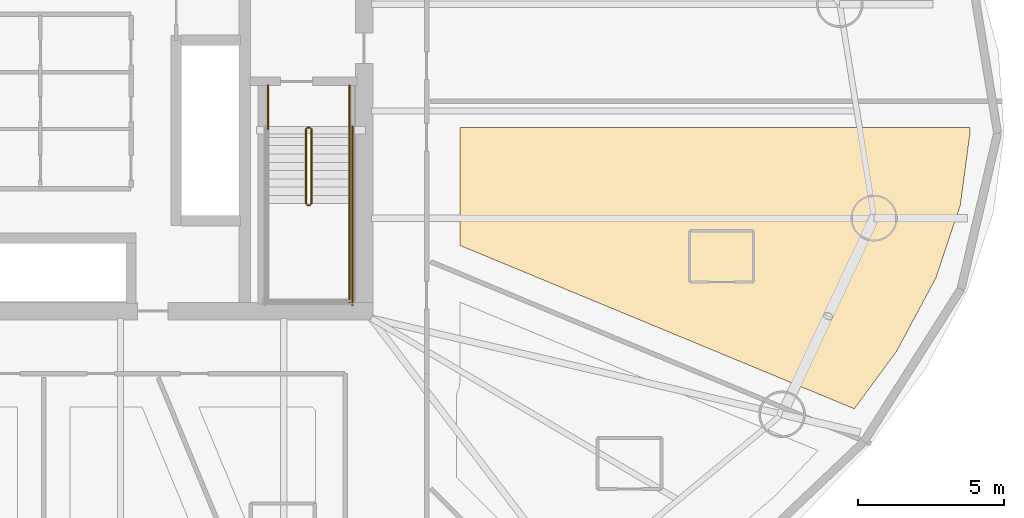
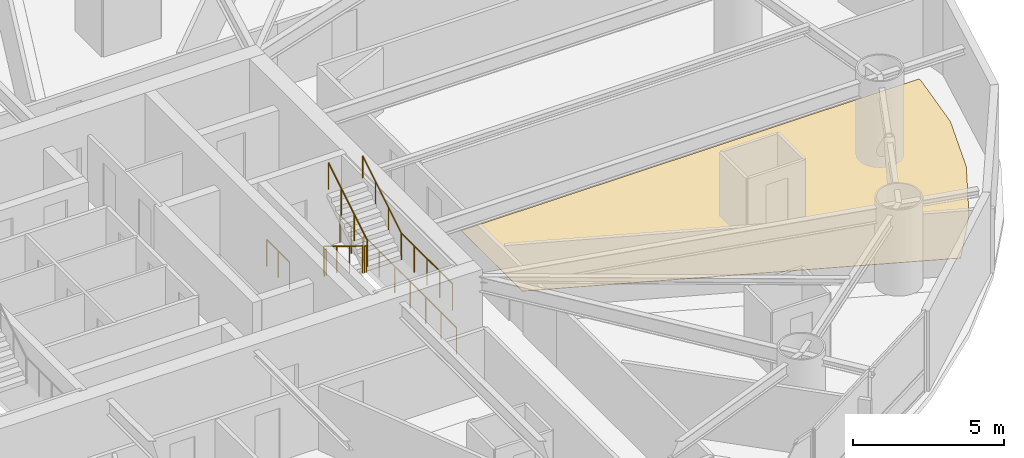
# One storey, part 26 of 27: 9 railings, 1 covering.
"""IFC4 building model written with IfcOpenShell, lengths in metres."""

import ifcopenshell
import ifcopenshell.guid

model = None  # the IFC model being written
_history = None  # IfcOwnerHistory: only IFC2X3 demands one
_inside = {}  # id of a spatial element -> (the spatial element, [elements in it])
_under = {}  # id of a project, library or spatial element -> (it, [spatial elements below it])
_declared = {}  # id of a project -> (the project, [libraries it declares])
_typed = {}  # id of a type object -> (the type object, [elements of that type])
_made_of = {}  # id of a material, layer set ... -> (it, [elements and type objects made of it])


def new_model(schema):
    """Start an empty IFC model of exactly this schema.

    Asked for "IFC4X3", IfcOpenShell would pick the latest addendum, in which some entities
    have other attributes; the version numbers below select the first issue.
    IFC2X3 requires an IfcOwnerHistory on every rooted entity: one is made here for all.
    """
    global model, _history
    if schema == "IFC4X3":
        model = ifcopenshell.file(schema_version=(4, 3, 0, 0))
    else:
        model = ifcopenshell.file(schema=schema)
    _inside.clear()
    _under.clear()
    _declared.clear()
    _typed.clear()
    _made_of.clear()
    _history = None
    if model.schema == "IFC2X3":
        org = make("IfcOrganization", Name="unknown")
        user = make(
            "IfcPersonAndOrganization",
            ThePerson=make("IfcPerson", FamilyName="unknown"),
            TheOrganization=org,
        )
        app = make(
            "IfcApplication",
            ApplicationDeveloper=org,
            Version="unknown",
            ApplicationFullName="unknown",
            ApplicationIdentifier="unknown",
        )
        _history = make(
            "IfcOwnerHistory",
            OwningUser=user,
            OwningApplication=app,
            ChangeAction="ADDED",
            CreationDate=0,
        )
    return model


def make(cls, **values):
    """One entity of the class cls with the attributes given. An attribute that is None is left unset."""
    return model.create_entity(
        cls, **{name: value for name, value in values.items() if value is not None}
    )


def rooted(cls, **values):
    """An entity with a GlobalId (a new one), such as an element, a storey or a relation."""
    return make(cls, GlobalId=ifcopenshell.guid.new(), OwnerHistory=_history, **values)


def si_unit(unit_type, name, prefix=None):
    """IfcSIUnit, for example si_unit("LENGTHUNIT", "METRE", prefix="MILLI")."""
    return make("IfcSIUnit", UnitType=unit_type, Prefix=prefix, Name=name)


def assignment(units):
    """IfcUnitAssignment: the units of a project."""
    return None if units is None else make("IfcUnitAssignment", Units=units)


def point(xyz):
    """IfcCartesianPoint."""
    return None if xyz is None else make("IfcCartesianPoint", Coordinates=xyz)


def direction(xyz):
    """IfcDirection."""
    return None if xyz is None else make("IfcDirection", DirectionRatios=xyz)


def frame(location, z_axis=None, x_axis=None):
    """IfcAxis2Placement3D, a coordinate frame: its origin and axes. An axis left out is left unset."""
    return make(
        "IfcAxis2Placement3D",
        Location=point(location),
        Axis=direction(z_axis),
        RefDirection=direction(x_axis),
    )


def frame_2d(location, x_axis=None):
    """IfcAxis2Placement2D, a coordinate frame in the plane: its origin and x axis."""
    return make(
        "IfcAxis2Placement2D", Location=point(location), RefDirection=direction(x_axis)
    )


def origin():
    """The frame at (0, 0, 0) with its axes left unset."""
    return frame((0.0, 0.0, 0.0))


def origin_2d():
    """The frame at (0, 0) in the plane with its x axis left unset."""
    return frame_2d((0.0, 0.0))


def place(relative_to, where):
    """IfcLocalPlacement: puts the frame where relative to a parent placement (None: the world)."""
    return make(
        "IfcLocalPlacement", PlacementRelTo=relative_to, RelativePlacement=where
    )


def context(
    kind, dimensions, precision=None, world=None, true_north=None, identifier=None
):
    """IfcGeometricRepresentationContext, for example the 3D "Model" context."""
    return make(
        "IfcGeometricRepresentationContext",
        ContextIdentifier=identifier,
        ContextType=kind,
        CoordinateSpaceDimension=dimensions,
        Precision=precision,
        WorldCoordinateSystem=world,
        TrueNorth=true_north,
    )


def subcontext(parent, identifier, kind, view, scale=None):
    """IfcGeometricRepresentationSubContext, for example "Body" below "Model"."""
    return make(
        "IfcGeometricRepresentationSubContext",
        ContextIdentifier=identifier,
        ContextType=kind,
        ParentContext=parent,
        TargetScale=scale,
        TargetView=view,
    )


def project(units=None, contexts=None):
    """IfcProject with its units and contexts."""
    return rooted(
        "IfcProject",
        Name="project",
        RepresentationContexts=contexts,
        UnitsInContext=assignment(units),
    )


def spatial(cls, under=None, at=None, **own):
    """A site, building, storey or space (cls), placed at a placement, below another one or the project."""
    s = rooted(cls, ObjectPlacement=at, **own)
    if under is not None:
        _under.setdefault(under.id(), (under, []))[1].append(s)
    return s


def polyline(points):
    """IfcPolyline through the points."""
    return make("IfcPolyline", Points=[point(p) for p in points])


def profile(cls, at=None, kind="AREA", **sizes):
    """A parametric profile (cls). Its sizes go by their IFC names, for example OverallWidth=200.0."""
    return make(cls, ProfileType=kind, Position=at, **sizes)


def circle(**sizes):
    """IfcCircleProfileDef."""
    return profile("IfcCircleProfileDef", **sizes)


def outline(outer, holes=None, kind="AREA"):
    """IfcArbitraryClosedProfileDef: a profile drawn as a closed curve; with holes, ...WithVoids."""
    if holes is None:
        return make("IfcArbitraryClosedProfileDef", ProfileType=kind, OuterCurve=outer)
    return make(
        "IfcArbitraryProfileDefWithVoids",
        ProfileType=kind,
        OuterCurve=outer,
        InnerCurves=holes,
    )


def extrude(swept, where, along, depth):
    """IfcExtrudedAreaSolid: the profile swept, set in the frame where, extruded along a direction by depth."""
    return make(
        "IfcExtrudedAreaSolid",
        SweptArea=swept,
        Position=where,
        ExtrudedDirection=direction(along),
        Depth=depth,
    )


def shape(context_of_items, identifier, shape_type, items):
    """IfcShapeRepresentation: the items that make up one representation, for example the "Body"."""
    return make(
        "IfcShapeRepresentation",
        ContextOfItems=context_of_items,
        RepresentationIdentifier=identifier,
        RepresentationType=shape_type,
        Items=items,
    )


def material(Name=None, Category=None):
    """IfcMaterial."""
    return make("IfcMaterial", Name=Name, Category=Category)


def layer(
    of_material, thickness, ventilated=None, Name=None, Category=None, Priority=None
):
    """IfcMaterialLayer: one layer of a wall or slab, of a material (None: an air gap)."""
    return make(
        "IfcMaterialLayer",
        Material=of_material,
        LayerThickness=thickness,
        IsVentilated=ventilated,
        Name=Name,
        Category=Category,
        Priority=Priority,
    )


def layer_set(layers, Name=None):
    """IfcMaterialLayerSet."""
    return make("IfcMaterialLayerSet", MaterialLayers=layers, LayerSetName=Name)


def made_of(thing, what):
    """Note that an element or type object is made of a material, layer set ...; save() writes the relation."""
    if what is not None:
        _made_of.setdefault(what.id(), (what, []))[1].append(thing)
    return thing


def type_object(cls, material=None, **own):
    """A type object (cls), such as IfcWallType, which elements share."""
    return made_of(rooted(cls, **own), material)


def element(
    cls,
    number,
    at=None,
    inside=None,
    cuts=None,
    type_object=None,
    material=None,
    context=None,
    identifier="Body",
    shape_type=None,
    held_by="IfcProductDefinitionShape",
    body=None,
    shapes=None,
    **own,
):
    """One element of the class cls, such as IfcWall. Its Tag is "e" and its number.

    at: its placement. inside: the storey or other place that contains it. cuts: it is an
    opening in that element (IfcRelVoidsElement). A single representation is given by context,
    identifier, shape_type and body (its items); several are given by shapes. held_by: the class
    of the entity that holds the representations. save() writes the other relations.
    """
    e = rooted(cls, Tag="e%d" % number, ObjectPlacement=at, **own)
    if body is not None:
        shapes = [shape(context, identifier, shape_type, body)]
    if shapes is not None:
        e.Representation = make(held_by, Representations=shapes)
    if inside is not None:
        _inside.setdefault(inside.id(), (inside, []))[1].append(e)
    if cuts is not None:
        rooted(
            "IfcRelVoidsElement", RelatingBuildingElement=cuts, RelatedOpeningElement=e
        )
    if type_object is not None:
        _typed.setdefault(type_object.id(), (type_object, []))[1].append(e)
    return made_of(e, material)


def aggregate(whole, parts):
    """IfcRelAggregates: a whole, such as a stair, and the parts it consists of."""
    return rooted("IfcRelAggregates", RelatingObject=whole, RelatedObjects=parts)


def save(model, path):
    """Write the relations noted so far, then the file.

    IfcRelAggregates (storeys below a building ...), IfcRelContainedInSpatialStructure (elements
    in a storey), IfcRelDefinesByType, IfcRelAssociatesMaterial and IfcRelDeclares: one each for
    every whole, place, type object, material and project.
    """
    for whole, parts in _under.values():
        aggregate(whole, parts)
    for where, things in _inside.values():
        rooted(
            "IfcRelContainedInSpatialStructure",
            RelatedElements=things,
            RelatingStructure=where,
        )
    for kind, things in _typed.values():
        rooted("IfcRelDefinesByType", RelatedObjects=things, RelatingType=kind)
    for what, things in _made_of.values():
        rooted("IfcRelAssociatesMaterial", RelatedObjects=things, RelatingMaterial=what)
    for by, libraries in _declared.values():
        rooted("IfcRelDeclares", RelatingContext=by, RelatedDefinitions=libraries)
    model.write(path)


model = new_model("IFC4")

# Units and contexts
model_context = context("Model", 3, precision=1e-05, world=origin(), true_north=direction((0.0, 1.0)))
body_context = subcontext(model_context, "Body", "Model", "MODEL_VIEW")
ifc_project = project(units=[si_unit("LENGTHUNIT", "METRE"), si_unit("AREAUNIT", "SQUARE_METRE"), si_unit("VOLUMEUNIT", "CUBIC_METRE"), si_unit("PLANEANGLEUNIT", "RADIAN"), si_unit("MASSUNIT", "GRAM", prefix="KILO")], contexts=[model_context])

# Site, building, storey
site_placement = place(None, origin())
site = spatial("IfcSite", under=ifc_project, at=site_placement, CompositionType="ELEMENT")
building_placement = place(site_placement, origin())
building = spatial("IfcBuilding", under=site, at=building_placement, Name="Bramvorn Convention Spire", CompositionType="ELEMENT")
storey_placement = place(building_placement, frame((0.0, 0.0, 44.89990234375)))
storey = spatial("IfcBuildingStorey", under=building, at=storey_placement, Name="L08", CompositionType="ELEMENT", Elevation=44.89990234375)

# Covering
ifc_material_1 = material(Name="Solution-Dyed Wool Broadloom Hospitality Carpet", Category="textile")
ifc_layer = layer(ifc_material_1, 0.014892578125)
ifc_layer_set = layer_set([ifc_layer], Name="Solution-Dyed Wool Broadloom Hospitality Carpet - FLR-CARPET-15")
covering_type = type_object("IfcCoveringType", Name="FLR-CARPET-15", PredefinedType="FLOORING", material=ifc_layer_set)
covering_placement = place(storey_placement, origin())
element("IfcCovering", 1, at=covering_placement, inside=storey, type_object=covering_type, Name="Hotel Suite 0816 wool broadloom carpet", PredefinedType="FLOORING", context=body_context, shape_type="SweptSolid", body=[
    extrude(outline(polyline([(67.292236328125, 17.414794921875), (68.640380859375, 19.929931640625), (69.482421875, 22.439208984375), (69.818115234375, 24.944580078125), (69.8076171875, 25.10009765625), (52.300048828125, 25.10009765625), (52.300048828125, 21.05078125), (65.839599609375, 15.442626953125), (67.292236328125, 17.414794921875)])), origin(), (0.0, 0.0, 1.0), 0.01513671875),
])

# Railings
ifc_material_2 = material(Name="Painted Steel Balustrade & Guardrail", Category="steel")
railing_type_1 = type_object("IfcRailingType", Name="RL-STAIR-GUARD-1100", PredefinedType="GUARDRAIL", material=ifc_material_2)
railing_1_placement = place(storey_placement, frame((47.010009765625, 25.050048828125, 0.175048828125)))
element("IfcRailing", 2, at=railing_1_placement, inside=storey, type_object=railing_type_1, Name="L08 ST2 stair guard 1", PredefinedType="GUARDRAIL", context=body_context, shape_type="SweptSolid", body=[
    extrude(circle(Radius=0.02392578125, at=origin_2d()), frame((0.0, 0.0, 1.076171875), z_axis=(0.0, -0.852173129349, 0.523259933127), x_axis=(1.0, 0.0, 0.0)), (0.0, 0.0, 1.0), 3.009765625),
    extrude(circle(Radius=0.02099609375, at=origin_2d()), origin(), (0.0, 0.0, 1.0), 1.052001953125),
    extrude(circle(Radius=0.02099609375, at=origin_2d()), frame((0.0, -0.85498046875, 0.52490234375)), (0.0, 0.0, 1.0), 1.052001953125),
    extrude(circle(Radius=0.02099609375, at=origin_2d()), frame((0.0, -1.7099609375, 1.050048828125)), (0.0, 0.0, 1.0), 1.052001953125),
    extrude(circle(Radius=0.02099609375, at=origin_2d()), frame((0.0, -2.56494140625, 1.574951171875)), (0.0, 0.0, 1.0), 1.052001953125),
])
railing_2_placement = place(storey_placement, frame((47.06005859375, 22.43505859375, 1.75)))
element("IfcRailing", 3, at=railing_2_placement, inside=storey, type_object=railing_type_1, Name="L08 ST2 stair guard 2", PredefinedType="GUARDRAIL", context=body_context, shape_type="SweptSolid", body=[
    extrude(circle(Radius=0.02392578125, at=origin_2d()), frame((0.0, 0.0, 1.076171875), z_axis=(1.0, 0.0, 0.0), x_axis=(0.0, 1.0, 0.0)), (0.0, 0.0, 1.0), 0.079833984375),
    extrude(circle(Radius=0.02099609375, at=origin_2d()), origin(), (0.0, 0.0, 1.0), 1.052001953125),
    extrude(circle(Radius=0.02099609375, at=origin_2d()), frame((0.079833984375, 0.0, 0.0)), (0.0, 0.0, 1.0), 1.052001953125),
])
railing_3_placement = place(storey_placement, frame((48.5, 22.485107421875, 1.75)))
element("IfcRailing", 4, at=railing_3_placement, inside=storey, type_object=railing_type_1, Name="L08 ST2 stair guard 4", PredefinedType="GUARDRAIL", context=body_context, shape_type="SweptSolid", body=[
    extrude(circle(Radius=0.02392578125, at=origin_2d()), frame((0.0, 0.0, 1.076171875), z_axis=(0.0, -1.0, 0.0), x_axis=(1.0, 0.0, 0.0)), (0.0, 0.0, 1.0), 3.385009765625),
    extrude(circle(Radius=0.02099609375, at=origin_2d()), origin(), (0.0, 0.0, 1.0), 1.052001953125),
    extrude(circle(Radius=0.02099609375, at=origin_2d()), frame((0.0, -0.84619140625, 0.0)), (0.0, 0.0, 1.0), 1.052001953125),
    extrude(circle(Radius=0.02099609375, at=origin_2d()), frame((0.0, -1.6923828125, 0.0)), (0.0, 0.0, 1.0), 1.052001953125),
    extrude(circle(Radius=0.02099609375, at=origin_2d()), frame((0.0, -2.538818359375, 0.0)), (0.0, 0.0, 1.0), 1.052001953125),
    extrude(circle(Radius=0.02099609375, at=origin_2d()), frame((0.0, -3.385009765625, 0.0)), (0.0, 0.0, 1.0), 1.052001953125),
])
railing_4_placement = place(storey_placement, frame((47.18994140625, 22.485107421875, 1.925048828125)))
element("IfcRailing", 5, at=railing_4_placement, inside=storey, type_object=railing_type_1, Name="L08 ST2 stair guard 6", PredefinedType="GUARDRAIL", context=body_context, shape_type="SweptSolid", body=[
    extrude(circle(Radius=0.02392578125, at=origin_2d()), frame((0.0, 0.0, 1.076171875), z_axis=(0.0, 0.852173129349, 0.523259933127), x_axis=(-1.0, 0.0, 0.0)), (0.0, 0.0, 1.0), 3.009765625),
    extrude(circle(Radius=0.02099609375, at=origin_2d()), origin(), (0.0, 0.0, 1.0), 1.052001953125),
    extrude(circle(Radius=0.02099609375, at=origin_2d()), frame((0.0, 0.85498046875, 0.52490234375)), (0.0, 0.0, 1.0), 1.052001953125),
    extrude(circle(Radius=0.02099609375, at=origin_2d()), frame((0.0, 1.7099609375, 1.050048828125)), (0.0, 0.0, 1.0), 1.052001953125),
    extrude(circle(Radius=0.02099609375, at=origin_2d()), frame((0.0, 2.56494140625, 1.574951171875)), (0.0, 0.0, 1.0), 1.052001953125),
])
railing_5_placement = place(storey_placement, frame((47.06005859375, 25.10009765625, 0.0)))
element("IfcRailing", 6, at=railing_5_placement, inside=storey, type_object=railing_type_1, Name="L08 ST2 stair guard 7", PredefinedType="GUARDRAIL", context=body_context, shape_type="SweptSolid", body=[
    extrude(circle(Radius=0.02392578125, at=origin_2d()), frame((0.0, 0.0, 1.076171875), z_axis=(1.0, 0.0, 0.0), x_axis=(0.0, 1.0, 0.0)), (0.0, 0.0, 1.0), 0.079833984375),
    extrude(circle(Radius=0.02099609375, at=origin_2d()), origin(), (0.0, 0.0, 1.0), 1.052001953125),
    extrude(circle(Radius=0.02099609375, at=origin_2d()), frame((0.079833984375, 0.0, 0.0)), (0.0, 0.0, 1.0), 1.052001953125),
])
for number, where, name in (
    (7, (45.699951171875, 26.550048828125, 0.0), "L08 ST2 stair guard 8"),
    (8, (48.5, 26.550048828125, 0.0), "L08 ST2 stair guard 9"),
):
    element("IfcRailing", number, at=place(storey_placement, frame(where)), inside=storey, type_object=railing_type_1, Name=name, PredefinedType="GUARDRAIL", context=body_context, shape_type="SweptSolid", body=[
        extrude(circle(Radius=0.02392578125, at=origin_2d()), frame((0.0, 0.0, 1.076171875), z_axis=(0.0, -1.0, 0.0), x_axis=(1.0, 0.0, 0.0)), (0.0, 0.0, 1.0), 1.5),
        extrude(circle(Radius=0.02099609375, at=origin_2d()), origin(), (0.0, 0.0, 1.0), 1.052001953125),
        extrude(circle(Radius=0.02099609375, at=origin_2d()), frame((0.0, -0.75, 0.0)), (0.0, 0.0, 1.0), 1.052001953125),
        extrude(circle(Radius=0.02099609375, at=origin_2d()), frame((0.0, -1.5, 0.0)), (0.0, 0.0, 1.0), 1.052001953125),
    ])
railing_6_placement = place(storey_placement, frame((48.60009765625, 25.14990234375, 0.0)))
element("IfcRailing", 9, at=railing_6_placement, inside=storey, type_object=railing_type_1, Name="L08 ST2 stair guard 11", PredefinedType="GUARDRAIL", context=body_context, shape_type="SweptSolid", body=[
    extrude(circle(Radius=0.02392578125, at=origin_2d()), frame((0.0, 0.0, 1.076171875), z_axis=(0.0, -1.0, 0.0), x_axis=(1.0, 0.0, 0.0)), (0.0, 0.0, 1.0), 6.14990234375),
    extrude(circle(Radius=0.02099609375, at=origin_2d()), origin(), (0.0, 0.0, 1.0), 1.052001953125),
    extrude(circle(Radius=0.02099609375, at=origin_2d()), frame((0.0, -1.02490234375, 0.0)), (0.0, 0.0, 1.0), 1.052001953125),
    extrude(circle(Radius=0.02099609375, at=origin_2d()), frame((0.0, -2.050048828125, 0.0)), (0.0, 0.0, 1.0), 1.052001953125),
    extrude(circle(Radius=0.02099609375, at=origin_2d()), frame((0.0, -3.074951171875, 0.0)), (0.0, 0.0, 1.0), 1.052001953125),
    extrude(circle(Radius=0.02099609375, at=origin_2d()), frame((0.0, -4.099853515625, 0.0)), (0.0, 0.0, 1.0), 1.052001953125),
    extrude(circle(Radius=0.02099609375, at=origin_2d()), frame((0.0, -5.125, 0.0)), (0.0, 0.0, 1.0), 1.052001953125),
    extrude(circle(Radius=0.02099609375, at=origin_2d()), frame((0.0, -6.14990234375, 0.0)), (0.0, 0.0, 1.0), 1.052001953125),
])
ifc_material_3 = material(Name="Brushed Bronze Tubular Handrail", Category="aluminium")
railing_type_2 = type_object("IfcRailingType", Name="RL-STAIR-HR-920", PredefinedType="HANDRAIL", material=ifc_material_3)
railing_7_placement = place(storey_placement, frame((48.5, 22.485107421875, 1.925048828125)))
element("IfcRailing", 10, at=railing_7_placement, inside=storey, type_object=railing_type_2, Name="L08 ST2 stair handrail 2", PredefinedType="HANDRAIL", context=body_context, shape_type="SweptSolid", body=[
    extrude(circle(Radius=0.02392578125, at=origin_2d()), frame((0.0, 0.0, 0.89599609375), z_axis=(0.0, 0.852173129349, 0.523259933127), x_axis=(-1.0, 0.0, 0.0)), (0.0, 0.0, 1.0), 3.009765625),
    extrude(circle(Radius=0.02099609375, at=origin_2d()), origin(), (0.0, 0.0, 1.0), 0.871826171875),
    extrude(circle(Radius=0.02099609375, at=origin_2d()), frame((0.0, 0.85498046875, 0.52490234375)), (0.0, 0.0, 1.0), 0.871826171875),
    extrude(circle(Radius=0.02099609375, at=origin_2d()), frame((0.0, 1.7099609375, 1.050048828125)), (0.0, 0.0, 1.0), 0.871826171875),
    extrude(circle(Radius=0.02099609375, at=origin_2d()), frame((0.0, 2.56494140625, 1.574951171875)), (0.0, 0.0, 1.0), 0.871826171875),
])

save(model, "model.ifc")
